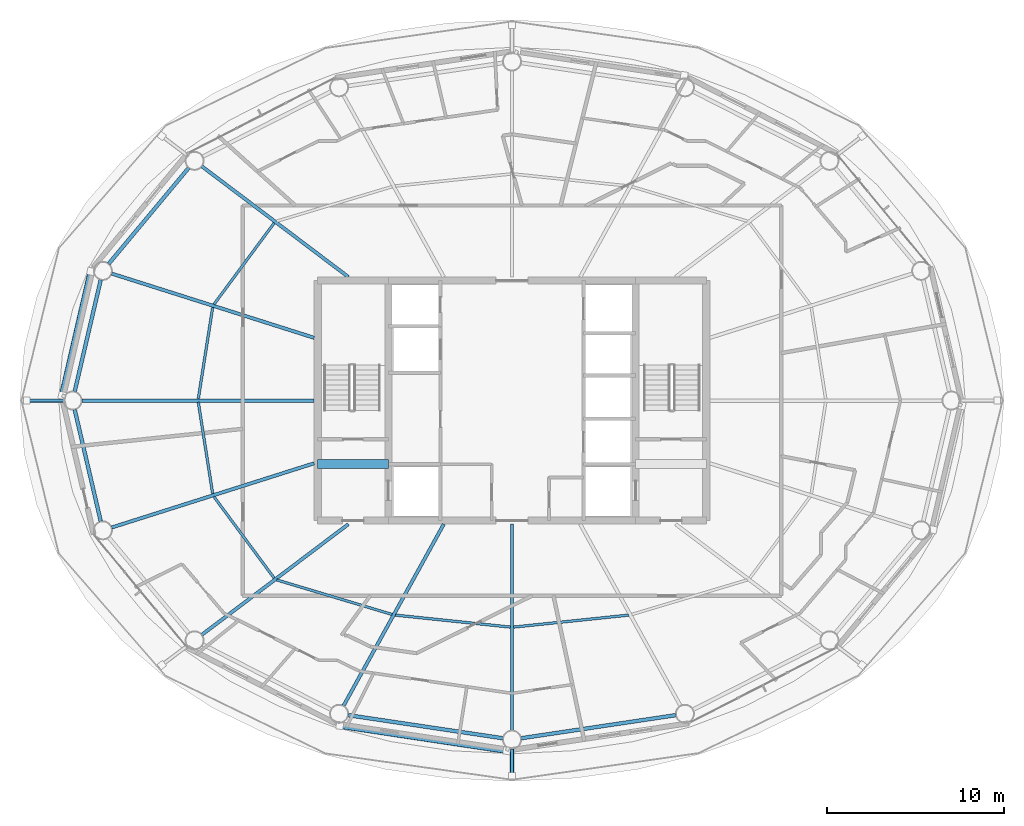
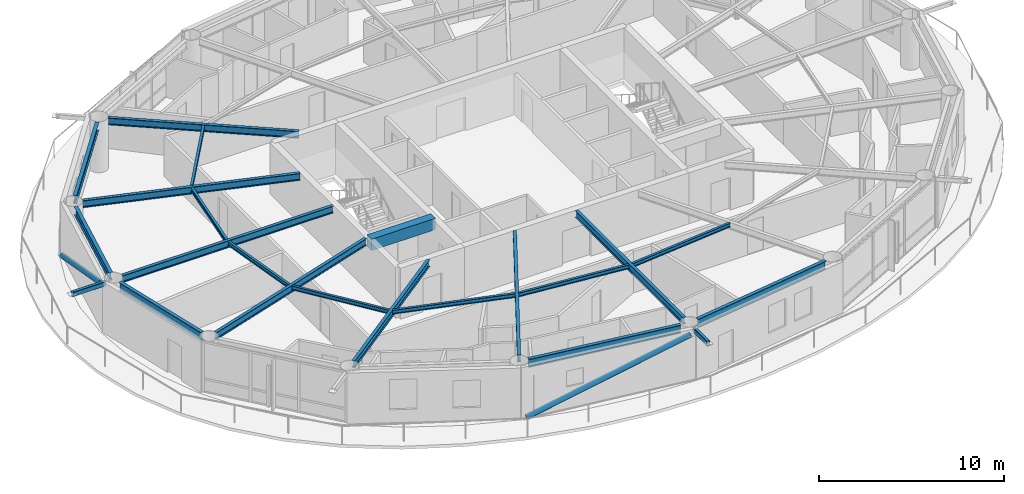
# One storey, part 4 of 23: 20 beams, 4 members.
"""IFC4 building model written with IfcOpenShell, lengths in metres."""

from ifc_helpers import new_model, si_unit, direction, frame, origin, origin_2d, place, context, subcontext, project, spatial, rectangle, hollow_rectangle, hollow_circle, i_section, extrude, material, material_profile, profile_set, type_object, element, save


model = new_model("IFC4")

# Units and contexts
model_context = context("Model", 3, precision=1e-05, world=origin(), true_north=direction((0.0, 1.0)))
body_context = subcontext(model_context, "Body", "Model", "MODEL_VIEW")
ifc_project = project(units=[si_unit("LENGTHUNIT", "METRE"), si_unit("AREAUNIT", "SQUARE_METRE"), si_unit("VOLUMEUNIT", "CUBIC_METRE"), si_unit("PLANEANGLEUNIT", "RADIAN"), si_unit("MASSUNIT", "GRAM", prefix="KILO")], contexts=[model_context])

# Site, building, storey
site_placement = place(None, origin())
site = spatial("IfcSite", under=ifc_project, at=site_placement, CompositionType="ELEMENT")
building_placement = place(site_placement, origin())
building = spatial("IfcBuilding", under=site, at=building_placement, Name="Sarneth Arch Tower", CompositionType="ELEMENT")
storey_placement = place(building_placement, frame((0.0, 0.0, 249.60009765625)))
storey = spatial("IfcBuildingStorey", under=building, at=storey_placement, Name="L64", CompositionType="ELEMENT", Elevation=249.60009765625)

# Beams
ifc_material_1 = material(Name="Steel S355", Category="steel")
ifc_material_profile_1 = material_profile(ifc_material_1, i_section(OverallWidth=0.14794921875, OverallDepth=0.26611328125, WebThickness=0.007568359375, FlangeThickness=0.012939453125, FilletRadius=0.012939453125, at=origin_2d()), Name="W250x44.8")
ifc_profile_set_1 = profile_set([ifc_material_profile_1], Name="Steel S355")
beam_type_1 = type_object("IfcBeamType", Name="BM-JOIST-250", PredefinedType="JOIST", material=ifc_profile_set_1)
beam_1_placement = place(storey_placement, frame((34.53076171875, 52.052734375, 3.226806640625), z_axis=(-0.594853468946, -0.803834156081, 0.0), x_axis=(0.803834156081, -0.594853468946, 0.0)))
element("IfcBeam", 1, at=beam_1_placement, inside=storey, type_object=beam_type_1, Name="L64 Secondary floor joist 07", PredefinedType="JOIST", context=body_context, shape_type="SweptSolid", body=[
    extrude(i_section(OverallWidth=0.14794921875, OverallDepth=0.26611328125, WebThickness=0.007568359375, FlangeThickness=0.012939453125, FilletRadius=0.012939453125, at=origin_2d()), origin(), (0.0, 0.0, 1.0), 5.72900390625),
])
for number, where, z_axis, x_axis, name in (
    (2, (31.05078125, 47.275390625, 3.226806640625), (-0.155393595615, -0.987852635995, 0.0), (0.987852635995, -0.155393595615, 0.0), "L64 Secondary floor joist 08"),
    (3, (30.23583984375, 41.9052734375, 3.226806640625), (0.155393595615, -0.987852635995, 0.0), (0.987852635995, 0.155393595615, 0.0), "L64 Secondary floor joist 09"),
):
    element("IfcBeam", number, at=place(storey_placement, frame(where, z_axis=z_axis, x_axis=x_axis)), inside=storey, type_object=beam_type_1, Name=name, PredefinedType="JOIST", context=body_context, shape_type="SweptSolid", body=[
        extrude(i_section(OverallWidth=0.14794921875, OverallDepth=0.26611328125, WebThickness=0.007568359375, FlangeThickness=0.012939453125, FilletRadius=0.012939453125, at=origin_2d()), origin(), (0.0, 0.0, 1.0), 5.244384765625),
    ])
beam_2_placement = place(storey_placement, frame((31.122802734375, 36.552490234375, 3.226806640625), z_axis=(0.594853468946, -0.803834156081, 0.0), x_axis=(0.803834156081, 0.594853468946, 0.0)))
element("IfcBeam", 4, at=beam_2_placement, inside=storey, type_object=beam_type_1, Name="L64 Secondary floor joist 10", PredefinedType="JOIST", context=body_context, shape_type="SweptSolid", body=[
    extrude(i_section(OverallWidth=0.14794921875, OverallDepth=0.26611328125, WebThickness=0.007568359375, FlangeThickness=0.012939453125, FilletRadius=0.012939453125, at=origin_2d()), origin(), (0.0, 0.0, 1.0), 5.72900390625),
])
beam_3_placement = place(storey_placement, frame((34.679931640625, 31.842529296875, 3.226806640625), z_axis=(0.957984908347, -0.286818610589, 0.0), x_axis=(0.286818610589, 0.957984908347, 0.0)))
element("IfcBeam", 5, at=beam_3_placement, inside=storey, type_object=beam_type_1, Name="L64 Secondary floor joist 11", PredefinedType="JOIST", context=body_context, shape_type="SweptSolid", body=[
    extrude(i_section(OverallWidth=0.14794921875, OverallDepth=0.26611328125, WebThickness=0.007568359375, FlangeThickness=0.012939453125, FilletRadius=0.012939453125, at=origin_2d()), origin(), (0.0, 0.0, 1.0), 6.81396484375),
])
for number, where, z_axis, x_axis, name in (
    (6, (41.39501953125, 29.8505859375, 3.226806640625), (0.994616086198, -0.103628379682, 0.0), (0.103628379682, 0.994616086198, 0.0), "L64 Secondary floor joist 12"),
    (7, (48.095458984375, 29.17236328125, 3.226806640625), (0.994616086198, 0.103628379682, 0.0), (-0.103628379682, 0.994616086198, 0.0), "L64 Secondary floor joist 13"),
):
    element("IfcBeam", number, at=place(storey_placement, frame(where, z_axis=z_axis, x_axis=x_axis)), inside=storey, type_object=beam_type_1, Name=name, PredefinedType="JOIST", context=body_context, shape_type="SweptSolid", body=[
        extrude(i_section(OverallWidth=0.14794921875, OverallDepth=0.26611328125, WebThickness=0.007568359375, FlangeThickness=0.012939453125, FilletRadius=0.012939453125, at=origin_2d()), origin(), (0.0, 0.0, 1.0), 6.544677734375),
    ])
ifc_material_2 = material(Name="Concrete C50/60", Category="concrete")
ifc_material_profile_2 = material_profile(ifc_material_2, rectangle(XDim=0.5, YDim=0.75, at=origin_2d()), Name="RC-500x750")
ifc_profile_set_2 = profile_set([ifc_material_profile_2], Name="Concrete C50/60")
beam_type_2 = type_object("IfcBeamType", Name="BM-LINTEL-RC", PredefinedType="LINTEL", material=ifc_profile_set_2)
beam_4_placement = place(storey_placement, frame((37.0, 38.39990234375, 2.98486328125), z_axis=(1.0, 0.0, 0.0), x_axis=(0.0, 1.0, 0.0)))
element("IfcBeam", 8, at=beam_4_placement, inside=storey, type_object=beam_type_2, Name="L64 Core coupling lintel W", PredefinedType="LINTEL", context=body_context, shape_type="SweptSolid", body=[
    extrude(rectangle(XDim=0.5, YDim=0.75, at=origin_2d()), origin(), (0.0, 0.0, 1.0), 4.0),
])
ifc_material_3 = material(Name="Steel S355", Category="steel")
ifc_material_profile_3 = material_profile(ifc_material_3, i_section(OverallWidth=0.19189453125, OverallDepth=0.462890625, WebThickness=0.010498046875, FlangeThickness=0.017578125, FilletRadius=0.01806640625, at=origin_2d()), Name="W460x89")
ifc_profile_set_3 = profile_set([ifc_material_profile_3], Name="Steel S355")
beam_type_3 = type_object("IfcBeamType", Name="BM-RAD-460B", PredefinedType="BEAM", material=ifc_profile_set_3)
beam_5_placement = place(storey_placement, frame((38.73193359375, 49.0, 3.12841796875), z_axis=(-0.79797308069, 0.60269309146, 0.0), x_axis=(-0.60269309146, -0.79797308069, 0.0)))
element("IfcBeam", 9, at=beam_5_placement, inside=storey, type_object=beam_type_3, Name="L64 Radial floor girder 07", PredefinedType="BEAM", context=body_context, shape_type="SweptSolid", body=[
    extrude(i_section(OverallWidth=0.19189453125, OverallDepth=0.462890625, WebThickness=0.010498046875, FlangeThickness=0.017578125, FilletRadius=0.01806640625, at=origin_2d()), origin(), (0.0, 0.0, 1.0), 10.38671875),
])
beam_6_placement = place(storey_placement, frame((36.800048828125, 45.5517578125, 3.12841796875), z_axis=(-0.953216092177, 0.302289731243, 0.0), x_axis=(-0.302289731243, -0.953216092177, 0.0)))
element("IfcBeam", 10, at=beam_6_placement, inside=storey, type_object=beam_type_3, Name="L64 Radial floor girder 08", PredefinedType="BEAM", context=body_context, shape_type="SweptSolid", body=[
    extrude(i_section(OverallWidth=0.19189453125, OverallDepth=0.462890625, WebThickness=0.010498046875, FlangeThickness=0.017578125, FilletRadius=0.01806640625, at=origin_2d()), origin(), (0.0, 0.0, 1.0), 12.031494140625),
])
beam_7_placement = place(storey_placement, frame((36.800048828125, 42.0, 3.12841796875), z_axis=(-1.0, 0.0, 0.0), x_axis=(0.0, -1.0, 0.0)))
element("IfcBeam", 11, at=beam_7_placement, inside=storey, type_object=beam_type_3, Name="L64 Radial floor girder 09", PredefinedType="BEAM", context=body_context, shape_type="SweptSolid", body=[
    extrude(i_section(OverallWidth=0.19189453125, OverallDepth=0.462890625, WebThickness=0.010498046875, FlangeThickness=0.017578125, FilletRadius=0.01806640625, at=origin_2d()), origin(), (0.0, 0.0, 1.0), 13.158203125),
])
beam_8_placement = place(storey_placement, frame((36.800048828125, 38.4482421875, 3.12841796875), z_axis=(-0.953216092177, -0.302289731243, 0.0), x_axis=(0.302289731243, -0.953216092177, 0.0)))
element("IfcBeam", 12, at=beam_8_placement, inside=storey, type_object=beam_type_3, Name="L64 Radial floor girder 10", PredefinedType="BEAM", context=body_context, shape_type="SweptSolid", body=[
    extrude(i_section(OverallWidth=0.19189453125, OverallDepth=0.462890625, WebThickness=0.010498046875, FlangeThickness=0.017578125, FilletRadius=0.01806640625, at=origin_2d()), origin(), (0.0, 0.0, 1.0), 12.031494140625),
])
beam_9_placement = place(storey_placement, frame((38.73193359375, 35.0, 3.12841796875), z_axis=(-0.79797308069, -0.60269309146, 0.0), x_axis=(0.60269309146, -0.79797308069, 0.0)))
element("IfcBeam", 13, at=beam_9_placement, inside=storey, type_object=beam_type_3, Name="L64 Radial floor girder 11", PredefinedType="BEAM", context=body_context, shape_type="SweptSolid", body=[
    extrude(i_section(OverallWidth=0.19189453125, OverallDepth=0.462890625, WebThickness=0.010498046875, FlangeThickness=0.017578125, FilletRadius=0.01806640625, at=origin_2d()), origin(), (0.0, 0.0, 1.0), 10.38671875),
])
beam_10_placement = place(storey_placement, frame((44.13623046875, 35.0, 3.12841796875), z_axis=(-0.483225760768, -0.875495781903, 0.0), x_axis=(0.875495781903, -0.483225760768, 0.0)))
element("IfcBeam", 14, at=beam_10_placement, inside=storey, type_object=beam_type_3, Name="L64 Radial floor girder 12", PredefinedType="BEAM", context=body_context, shape_type="SweptSolid", body=[
    extrude(i_section(OverallWidth=0.19189453125, OverallDepth=0.462890625, WebThickness=0.010498046875, FlangeThickness=0.017578125, FilletRadius=0.01806640625, at=origin_2d()), origin(), (0.0, 0.0, 1.0), 11.740478515625),
])
beam_11_placement = place(storey_placement, frame((48.0, 35.0, 3.12841796875), z_axis=(0.0, -1.0, 0.0), x_axis=(1.0, 0.0, 0.0)))
element("IfcBeam", 15, at=beam_11_placement, inside=storey, type_object=beam_type_3, Name="L64 Radial floor girder 13", PredefinedType="BEAM", context=body_context, shape_type="SweptSolid", body=[
    extrude(i_section(OverallWidth=0.19189453125, OverallDepth=0.462890625, WebThickness=0.010498046875, FlangeThickness=0.017578125, FilletRadius=0.01806640625, at=origin_2d()), origin(), (0.0, 0.0, 1.0), 11.675048828125),
])
ifc_material_4 = material(Name="Steel S355", Category="steel")
ifc_material_profile_4 = material_profile(ifc_material_4, i_section(OverallWidth=0.2109375, OverallDepth=0.5390625, WebThickness=0.01171875, FlangeThickness=0.018798828125, FilletRadius=0.01806640625, at=origin_2d()), Name="W530x109")
ifc_profile_set_4 = profile_set([ifc_material_profile_4], Name="Steel S355")
beam_type_4 = type_object("IfcBeamType", Name="BM-RAD-530B", PredefinedType="BEAM", material=ifc_profile_set_4)
beam_12_placement = place(storey_placement, frame((29.6884765625, 55.17333984375, 3.09033203125), z_axis=(-0.640364654985, -0.76807103099, 0.0), x_axis=(0.76807103099, -0.640364654985, 0.0)))
element("IfcBeam", 16, at=beam_12_placement, inside=storey, type_object=beam_type_4, Name="L64 Perimeter spandrel beam 07", PredefinedType="BEAM", context=body_context, shape_type="SweptSolid", body=[
    extrude(i_section(OverallWidth=0.2109375, OverallDepth=0.5390625, WebThickness=0.01171875, FlangeThickness=0.018798828125, FilletRadius=0.01806640625, at=origin_2d()), origin(), (0.0, 0.0, 1.0), 7.06005859375),
])
for number, where, z_axis, x_axis, name in (
    (17, (24.7119140625, 48.836181640625, 3.09033203125), (-0.227230803906, -0.973840932471, 0.0), (0.973840932471, -0.227230803906, 0.0), "L64 Perimeter spandrel beam 08"),
    (18, (23.236083984375, 41.48876953125, 3.09033203125), (0.227230803906, -0.973840932471, 0.0), (0.973840932471, 0.227230803906, 0.0), "L64 Perimeter spandrel beam 09"),
):
    element("IfcBeam", number, at=place(storey_placement, frame(where, z_axis=z_axis, x_axis=x_axis)), inside=storey, type_object=beam_type_4, Name=name, PredefinedType="BEAM", context=body_context, shape_type="SweptSolid", body=[
        extrude(i_section(OverallWidth=0.2109375, OverallDepth=0.5390625, WebThickness=0.01171875, FlangeThickness=0.018798828125, FilletRadius=0.01806640625, at=origin_2d()), origin(), (0.0, 0.0, 1.0), 6.494873046875),
    ])
for number, where, z_axis, x_axis, name in (
    (19, (38.728515625, 24.18408203125, 3.09033203125), (0.989038715098, -0.147656425652, 0.0), (0.147656425652, 0.989038715098, 0.0), "L64 Perimeter spandrel beam 12"),
    (20, (48.519287109375, 22.87744140625, 3.09033203125), (0.989038715098, 0.147656425652, 0.0), (-0.147656425652, 0.989038715098, 0.0), "L64 Perimeter spandrel beam 13"),
):
    element("IfcBeam", number, at=place(storey_placement, frame(where, z_axis=z_axis, x_axis=x_axis)), inside=storey, type_object=beam_type_4, Name=name, PredefinedType="BEAM", context=body_context, shape_type="SweptSolid", body=[
        extrude(i_section(OverallWidth=0.2109375, OverallDepth=0.5390625, WebThickness=0.01171875, FlangeThickness=0.018798828125, FilletRadius=0.01806640625, at=origin_2d()), origin(), (0.0, 0.0, 1.0), 8.84912109375),
    ])

# Members
ifc_material_5 = material(Name="Steel S355", Category="steel")
ifc_material_profile_5 = material_profile(ifc_material_5, hollow_rectangle(XDim=0.199951171875, YDim=0.300048828125, WallThickness=0.012451171875, InnerFilletRadius=0.018798828125, OuterFilletRadius=0.03125, at=origin_2d()), Name="RHS300x200x12.5")
ifc_profile_set_5 = profile_set([ifc_material_profile_5], Name="Steel S355")
member_type_1 = type_object("IfcMemberType", Name="MEM-CANT-STRUT", PredefinedType="STRUT", material=ifc_profile_set_5)
member_1_placement = place(storey_placement, frame((22.591796875, 42.0, 3.199951171875), z_axis=(-1.0, 0.0, 0.0), x_axis=(0.0, -1.0, 0.0)))
element("IfcMember", 21, at=member_1_placement, inside=storey, type_object=member_type_1, Name="L64 Balcony cantilever bracket 09", PredefinedType="STRUT", context=body_context, shape_type="SweptSolid", body=[
    extrude(hollow_rectangle(XDim=0.199951171875, YDim=0.300048828125, WallThickness=0.012451171875, InnerFilletRadius=0.018798828125, OuterFilletRadius=0.03125, at=origin_2d()), origin(), (0.0, 0.0, 1.0), 2.074951171875),
])
member_2_placement = place(storey_placement, frame((48.0, 22.27490234375, 3.199951171875), z_axis=(0.0, -1.0, 0.0), x_axis=(1.0, 0.0, 0.0)))
element("IfcMember", 22, at=member_2_placement, inside=storey, type_object=member_type_1, Name="L64 Balcony cantilever bracket 13", PredefinedType="STRUT", context=body_context, shape_type="SweptSolid", body=[
    extrude(hollow_rectangle(XDim=0.199951171875, YDim=0.300048828125, WallThickness=0.012451171875, InnerFilletRadius=0.018798828125, OuterFilletRadius=0.03125, at=origin_2d()), origin(), (0.0, 0.0, 1.0), 1.52490234375),
])
ifc_material_6 = material(Name="Steel S355", Category="steel")
ifc_material_profile_6 = material_profile(ifc_material_6, hollow_circle(Radius=0.162109375, WallThickness=0.012451171875, at=origin_2d()), Name="CHS324x12.5")
ifc_profile_set_6 = profile_set([ifc_material_profile_6], Name="Steel S355")
member_type_2 = type_object("IfcMemberType", Name="MEM-DIAG-BR3", PredefinedType="BRACE", material=ifc_profile_set_6)
member_3_placement = place(storey_placement, frame((24.148193359375, 49.3154296875, 0.02001953125), z_axis=(-0.207917989892, -0.898749333617, 0.386030756289), x_axis=(0.974268900284, -0.225388797281, 0.0)))
element("IfcMember", 23, at=member_3_placement, inside=storey, type_object=member_type_2, Name="L64 Perimeter frame diagonal 08", PredefinedType="BRACE", context=body_context, shape_type="SweptSolid", body=[
    extrude(hollow_circle(Radius=0.162109375, WallThickness=0.012451171875, at=origin_2d()), origin(), (0.0, 0.0, 1.0), 7.814453125),
])
member_4_placement = place(storey_placement, frame((38.245849609375, 23.588623046875, 0.02001953125), z_axis=(0.943056107878, -0.142001297879, 0.300800280576), x_axis=(0.148897148305, 0.988852688335, 0.0)))
element("IfcMember", 24, at=member_4_placement, inside=storey, type_object=member_type_2, Name="L64 Perimeter frame diagonal 12", PredefinedType="BRACE", context=body_context, shape_type="SweptSolid", body=[
    extrude(hollow_circle(Radius=0.162109375, WallThickness=0.012451171875, at=origin_2d()), origin(), (0.0, 0.0, 1.0), 10.028564453125),
])

save(model, "model.ifc")
